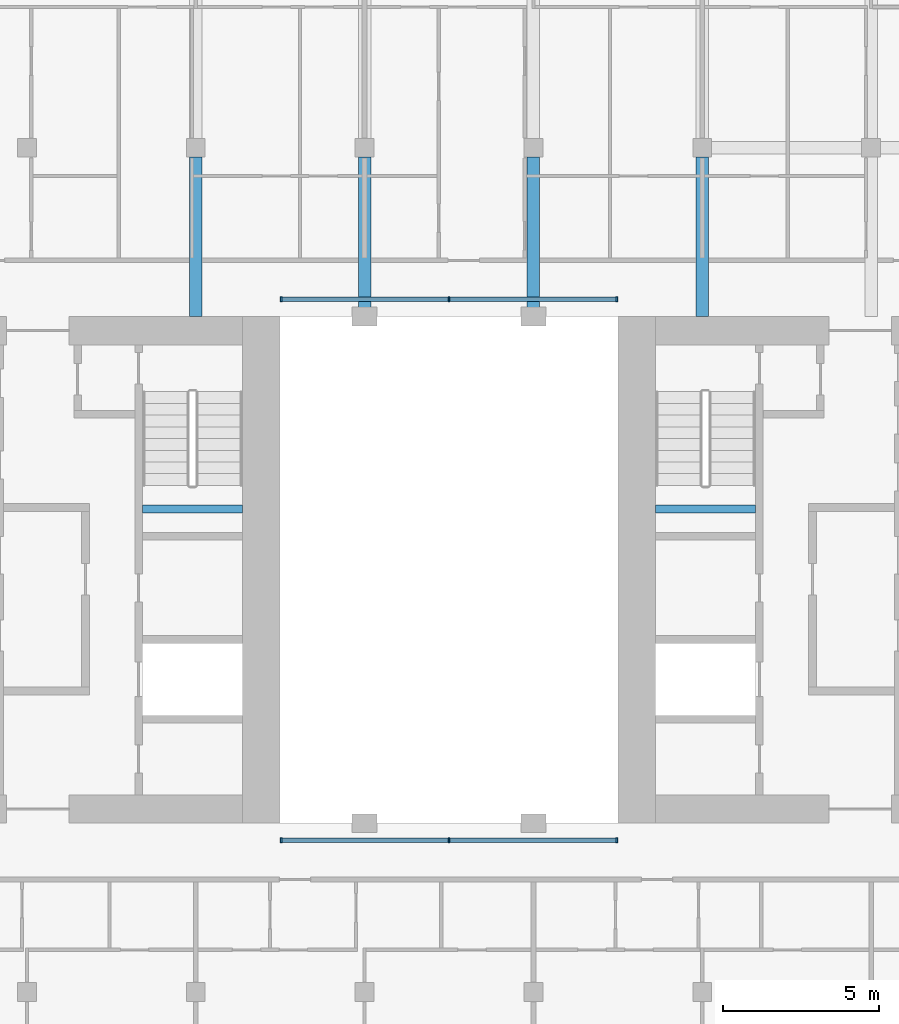
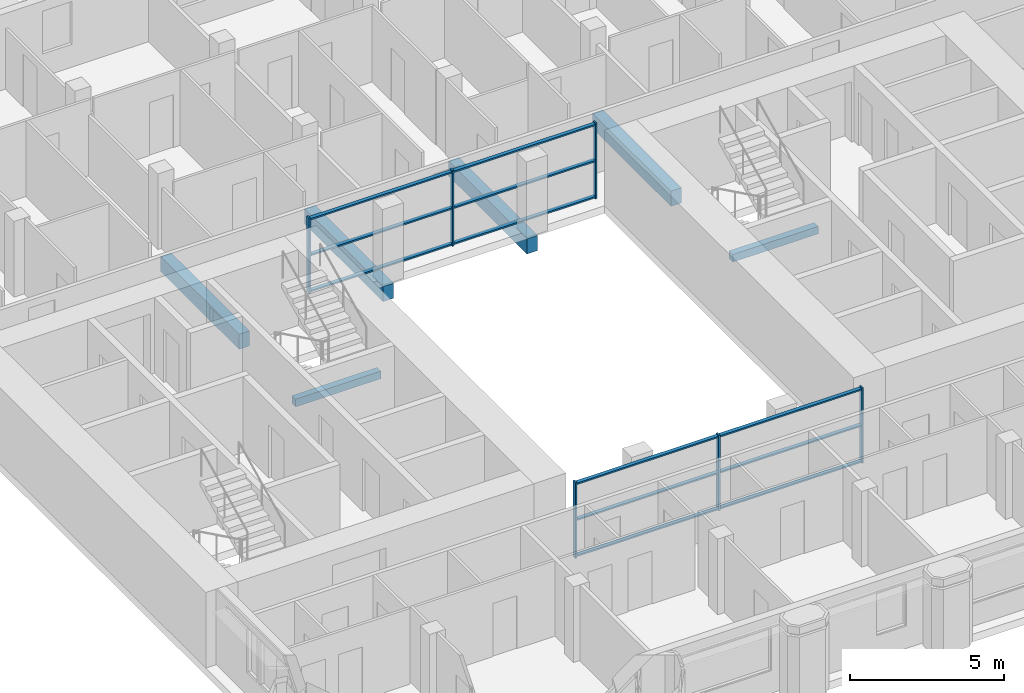
# One storey, part 2 of 13: 18 members, 6 beams, 2 elements without a shape of their own.
"""IFC4 building model written with IfcOpenShell, lengths in metres."""

import ifcopenshell
import ifcopenshell.guid

model = None  # the IFC model being written
_history = None  # IfcOwnerHistory: only IFC2X3 demands one
_inside = {}  # id of a spatial element -> (the spatial element, [elements in it])
_under = {}  # id of a project, library or spatial element -> (it, [spatial elements below it])
_declared = {}  # id of a project -> (the project, [libraries it declares])
_typed = {}  # id of a type object -> (the type object, [elements of that type])
_made_of = {}  # id of a material, layer set ... -> (it, [elements and type objects made of it])


def new_model(schema):
    """Start an empty IFC model of exactly this schema.

    Asked for "IFC4X3", IfcOpenShell would pick the latest addendum, in which some entities
    have other attributes; the version numbers below select the first issue.
    IFC2X3 requires an IfcOwnerHistory on every rooted entity: one is made here for all.
    """
    global model, _history
    if schema == "IFC4X3":
        model = ifcopenshell.file(schema_version=(4, 3, 0, 0))
    else:
        model = ifcopenshell.file(schema=schema)
    _inside.clear()
    _under.clear()
    _declared.clear()
    _typed.clear()
    _made_of.clear()
    _history = None
    if model.schema == "IFC2X3":
        org = make("IfcOrganization", Name="unknown")
        user = make(
            "IfcPersonAndOrganization",
            ThePerson=make("IfcPerson", FamilyName="unknown"),
            TheOrganization=org,
        )
        app = make(
            "IfcApplication",
            ApplicationDeveloper=org,
            Version="unknown",
            ApplicationFullName="unknown",
            ApplicationIdentifier="unknown",
        )
        _history = make(
            "IfcOwnerHistory",
            OwningUser=user,
            OwningApplication=app,
            ChangeAction="ADDED",
            CreationDate=0,
        )
    return model


def make(cls, **values):
    """One entity of the class cls with the attributes given. An attribute that is None is left unset."""
    return model.create_entity(
        cls, **{name: value for name, value in values.items() if value is not None}
    )


def rooted(cls, **values):
    """An entity with a GlobalId (a new one), such as an element, a storey or a relation."""
    return make(cls, GlobalId=ifcopenshell.guid.new(), OwnerHistory=_history, **values)


def si_unit(unit_type, name, prefix=None):
    """IfcSIUnit, for example si_unit("LENGTHUNIT", "METRE", prefix="MILLI")."""
    return make("IfcSIUnit", UnitType=unit_type, Prefix=prefix, Name=name)


def assignment(units):
    """IfcUnitAssignment: the units of a project."""
    return None if units is None else make("IfcUnitAssignment", Units=units)


def point(xyz):
    """IfcCartesianPoint."""
    return None if xyz is None else make("IfcCartesianPoint", Coordinates=xyz)


def direction(xyz):
    """IfcDirection."""
    return None if xyz is None else make("IfcDirection", DirectionRatios=xyz)


def frame(location, z_axis=None, x_axis=None):
    """IfcAxis2Placement3D, a coordinate frame: its origin and axes. An axis left out is left unset."""
    return make(
        "IfcAxis2Placement3D",
        Location=point(location),
        Axis=direction(z_axis),
        RefDirection=direction(x_axis),
    )


def frame_2d(location, x_axis=None):
    """IfcAxis2Placement2D, a coordinate frame in the plane: its origin and x axis."""
    return make(
        "IfcAxis2Placement2D", Location=point(location), RefDirection=direction(x_axis)
    )


def origin():
    """The frame at (0, 0, 0) with its axes left unset."""
    return frame((0.0, 0.0, 0.0))


def origin_2d():
    """The frame at (0, 0) in the plane with its x axis left unset."""
    return frame_2d((0.0, 0.0))


def place(relative_to, where):
    """IfcLocalPlacement: puts the frame where relative to a parent placement (None: the world)."""
    return make(
        "IfcLocalPlacement", PlacementRelTo=relative_to, RelativePlacement=where
    )


def context(
    kind, dimensions, precision=None, world=None, true_north=None, identifier=None
):
    """IfcGeometricRepresentationContext, for example the 3D "Model" context."""
    return make(
        "IfcGeometricRepresentationContext",
        ContextIdentifier=identifier,
        ContextType=kind,
        CoordinateSpaceDimension=dimensions,
        Precision=precision,
        WorldCoordinateSystem=world,
        TrueNorth=true_north,
    )


def subcontext(parent, identifier, kind, view, scale=None):
    """IfcGeometricRepresentationSubContext, for example "Body" below "Model"."""
    return make(
        "IfcGeometricRepresentationSubContext",
        ContextIdentifier=identifier,
        ContextType=kind,
        ParentContext=parent,
        TargetScale=scale,
        TargetView=view,
    )


def project(units=None, contexts=None):
    """IfcProject with its units and contexts."""
    return rooted(
        "IfcProject",
        Name="project",
        RepresentationContexts=contexts,
        UnitsInContext=assignment(units),
    )


def spatial(cls, under=None, at=None, **own):
    """A site, building, storey or space (cls), placed at a placement, below another one or the project."""
    s = rooted(cls, ObjectPlacement=at, **own)
    if under is not None:
        _under.setdefault(under.id(), (under, []))[1].append(s)
    return s


def profile(cls, at=None, kind="AREA", **sizes):
    """A parametric profile (cls). Its sizes go by their IFC names, for example OverallWidth=200.0."""
    return make(cls, ProfileType=kind, Position=at, **sizes)


def rectangle(**sizes):
    """IfcRectangleProfileDef."""
    return profile("IfcRectangleProfileDef", **sizes)


def extrude(swept, where, along, depth):
    """IfcExtrudedAreaSolid: the profile swept, set in the frame where, extruded along a direction by depth."""
    return make(
        "IfcExtrudedAreaSolid",
        SweptArea=swept,
        Position=where,
        ExtrudedDirection=direction(along),
        Depth=depth,
    )


def shape(context_of_items, identifier, shape_type, items):
    """IfcShapeRepresentation: the items that make up one representation, for example the "Body"."""
    return make(
        "IfcShapeRepresentation",
        ContextOfItems=context_of_items,
        RepresentationIdentifier=identifier,
        RepresentationType=shape_type,
        Items=items,
    )


def material(Name=None, Category=None):
    """IfcMaterial."""
    return make("IfcMaterial", Name=Name, Category=Category)


def material_profile(
    of_material, cross_section, Name=None, Category=None, Priority=None
):
    """IfcMaterialProfile: a cross section and its material."""
    return make(
        "IfcMaterialProfile",
        Name=Name,
        Material=of_material,
        Profile=cross_section,
        Priority=Priority,
        Category=Category,
    )


def profile_set(profiles, Name=None, composite=None):
    """IfcMaterialProfileSet."""
    return make(
        "IfcMaterialProfileSet",
        Name=Name,
        MaterialProfiles=profiles,
        CompositeProfile=composite,
    )


def made_of(thing, what):
    """Note that an element or type object is made of a material, layer set ...; save() writes the relation."""
    if what is not None:
        _made_of.setdefault(what.id(), (what, []))[1].append(thing)
    return thing


def type_object(cls, material=None, **own):
    """A type object (cls), such as IfcWallType, which elements share."""
    return made_of(rooted(cls, **own), material)


def element(
    cls,
    number,
    at=None,
    inside=None,
    cuts=None,
    type_object=None,
    material=None,
    context=None,
    identifier="Body",
    shape_type=None,
    held_by="IfcProductDefinitionShape",
    body=None,
    shapes=None,
    **own,
):
    """One element of the class cls, such as IfcWall. Its Tag is "e" and its number.

    at: its placement. inside: the storey or other place that contains it. cuts: it is an
    opening in that element (IfcRelVoidsElement). A single representation is given by context,
    identifier, shape_type and body (its items); several are given by shapes. held_by: the class
    of the entity that holds the representations. save() writes the other relations.
    """
    e = rooted(cls, Tag="e%d" % number, ObjectPlacement=at, **own)
    if body is not None:
        shapes = [shape(context, identifier, shape_type, body)]
    if shapes is not None:
        e.Representation = make(held_by, Representations=shapes)
    if inside is not None:
        _inside.setdefault(inside.id(), (inside, []))[1].append(e)
    if cuts is not None:
        rooted(
            "IfcRelVoidsElement", RelatingBuildingElement=cuts, RelatedOpeningElement=e
        )
    if type_object is not None:
        _typed.setdefault(type_object.id(), (type_object, []))[1].append(e)
    return made_of(e, material)


def aggregate(whole, parts):
    """IfcRelAggregates: a whole, such as a stair, and the parts it consists of."""
    return rooted("IfcRelAggregates", RelatingObject=whole, RelatedObjects=parts)


def save(model, path):
    """Write the relations noted so far, then the file.

    IfcRelAggregates (storeys below a building ...), IfcRelContainedInSpatialStructure (elements
    in a storey), IfcRelDefinesByType, IfcRelAssociatesMaterial and IfcRelDeclares: one each for
    every whole, place, type object, material and project.
    """
    for whole, parts in _under.values():
        aggregate(whole, parts)
    for where, things in _inside.values():
        rooted(
            "IfcRelContainedInSpatialStructure",
            RelatedElements=things,
            RelatingStructure=where,
        )
    for kind, things in _typed.values():
        rooted("IfcRelDefinesByType", RelatedObjects=things, RelatingType=kind)
    for what, things in _made_of.values():
        rooted("IfcRelAssociatesMaterial", RelatedObjects=things, RelatingMaterial=what)
    for by, libraries in _declared.values():
        rooted("IfcRelDeclares", RelatingContext=by, RelatedDefinitions=libraries)
    model.write(path)


model = new_model("IFC4")

# Units and contexts
model_context = context("Model", 3, precision=1e-05, world=origin(), true_north=direction((0.0, 1.0)))
body_context = subcontext(model_context, "Body", "Model", "MODEL_VIEW")
ifc_project = project(units=[si_unit("LENGTHUNIT", "METRE"), si_unit("AREAUNIT", "SQUARE_METRE"), si_unit("VOLUMEUNIT", "CUBIC_METRE"), si_unit("PLANEANGLEUNIT", "RADIAN"), si_unit("MASSUNIT", "GRAM", prefix="KILO")], contexts=[model_context])

# Site, building, storey
site_placement = place(None, origin())
site = spatial("IfcSite", under=ifc_project, at=site_placement, CompositionType="ELEMENT")
building_placement = place(site_placement, origin())
building = spatial("IfcBuilding", under=site, at=building_placement, Name="Tabaq Tower and Sports Hall", CompositionType="ELEMENT")
storey_placement = place(building_placement, frame((0.0, 0.0, 298.300048828125)))
storey = spatial("IfcBuildingStorey", under=building, at=storey_placement, Name="L74", CompositionType="ELEMENT", Elevation=298.300048828125)

# Curtain wall, members
ifc_material_1 = material(Name="Aluminium alloy 6063-T6 framed glazing", Category="aluminium")
curtain_wall_type = type_object("IfcCurtainWallType", Name="CW1 curtain wall", PredefinedType="USERDEFINED", material=ifc_material_1)
curtain_wall_1_placement = place(storey_placement, origin())
curtain_wall_1 = element("IfcCurtainWall", 1, at=curtain_wall_1_placement, inside=storey, type_object=curtain_wall_type, Name="Atrium glazing L74 S", ObjectType="ATRIUM ENCLOSURE", PredefinedType="USERDEFINED")
ifc_material_2 = material(Name="Aluminium alloy 6063-T6", Category="aluminium")
ifc_material_profile_1 = material_profile(ifc_material_2, rectangle(XDim=0.159912109375, YDim=0.06005859375, at=origin_2d()), Name="MULLION 160x60")
ifc_profile_set_1 = profile_set([ifc_material_profile_1], Name="Aluminium alloy 6063-T6")
member_type_1 = type_object("IfcMemberType", Name="CW1 mullion 160x60", PredefinedType="MULLION", material=ifc_profile_set_1)
member_1_placement = place(storey_placement, frame((18.929931640625, 15.64990234375, 0.0), z_axis=(0.0, 0.0, 1.0), x_axis=(0.0, 1.0, 0.0)))
member_1 = element("IfcMember", 2, at=member_1_placement, type_object=member_type_1, Name="CW1 mullion 1", PredefinedType="MULLION", context=body_context, shape_type="SweptSolid", body=[
    extrude(rectangle(XDim=0.159912109375, YDim=0.06005859375, at=origin_2d()), origin(), (0.0, 0.0, 1.0), 3.0),
])
member_2_placement = place(storey_placement, frame((24.300048828125, 15.64990234375, 0.0), z_axis=(0.0, 0.0, 1.0), x_axis=(0.0, 1.0, 0.0)))
member_2 = element("IfcMember", 3, at=member_2_placement, type_object=member_type_1, Name="CW1 mullion 2", PredefinedType="MULLION", context=body_context, shape_type="SweptSolid", body=[
    extrude(rectangle(XDim=0.159912109375, YDim=0.06005859375, at=origin_2d()), origin(), (0.0, 0.0, 1.0), 3.0),
])
member_3_placement = place(storey_placement, frame((29.669921875, 15.64990234375, 0.0), z_axis=(0.0, 0.0, 1.0), x_axis=(0.0, 1.0, 0.0)))
member_3 = element("IfcMember", 4, at=member_3_placement, type_object=member_type_1, Name="CW1 mullion 3", PredefinedType="MULLION", context=body_context, shape_type="SweptSolid", body=[
    extrude(rectangle(XDim=0.159912109375, YDim=0.06005859375, at=origin_2d()), origin(), (0.0, 0.0, 1.0), 3.0),
])

curtain_wall_2_placement = place(storey_placement, origin())
curtain_wall_2 = element("IfcCurtainWall", 5, at=curtain_wall_2_placement, inside=storey, type_object=curtain_wall_type, Name="Atrium glazing L74 N", ObjectType="ATRIUM ENCLOSURE", PredefinedType="USERDEFINED")
member_4_placement = place(storey_placement, frame((18.929931640625, 32.949951171875, 0.0), z_axis=(0.0, 0.0, 1.0), x_axis=(0.0, 1.0, 0.0)))
member_4 = element("IfcMember", 6, at=member_4_placement, type_object=member_type_1, Name="CW1 mullion 1", PredefinedType="MULLION", context=body_context, shape_type="SweptSolid", body=[
    extrude(rectangle(XDim=0.159912109375, YDim=0.06005859375, at=origin_2d()), origin(), (0.0, 0.0, 1.0), 3.0),
])
member_5_placement = place(storey_placement, frame((24.300048828125, 32.949951171875, 0.0), z_axis=(0.0, 0.0, 1.0), x_axis=(0.0, 1.0, 0.0)))
member_5 = element("IfcMember", 7, at=member_5_placement, type_object=member_type_1, Name="CW1 mullion 2", PredefinedType="MULLION", context=body_context, shape_type="SweptSolid", body=[
    extrude(rectangle(XDim=0.159912109375, YDim=0.06005859375, at=origin_2d()), origin(), (0.0, 0.0, 1.0), 3.0),
])
member_6_placement = place(storey_placement, frame((29.669921875, 32.949951171875, 0.0), z_axis=(0.0, 0.0, 1.0), x_axis=(0.0, 1.0, 0.0)))
member_6 = element("IfcMember", 8, at=member_6_placement, type_object=member_type_1, Name="CW1 mullion 3", PredefinedType="MULLION", context=body_context, shape_type="SweptSolid", body=[
    extrude(rectangle(XDim=0.159912109375, YDim=0.06005859375, at=origin_2d()), origin(), (0.0, 0.0, 1.0), 3.0),
])

# Member
ifc_material_3 = material(Name="Aluminium alloy 6063-T6", Category="aluminium")
ifc_material_profile_2 = material_profile(ifc_material_3, rectangle(XDim=0.139892578125, YDim=0.06005859375, at=origin_2d()), Name="TRANSOM 140x60")
ifc_profile_set_2 = profile_set([ifc_material_profile_2], Name="Aluminium alloy 6063-T6")
member_type_2 = type_object("IfcMemberType", Name="CW1 transom 140x60", PredefinedType="USERDEFINED", material=ifc_profile_set_2)
member_7_placement = place(storey_placement, frame((18.9599609375, 15.64990234375, 0.070068359375), z_axis=(1.0, 0.0, 0.0), x_axis=(0.0, 1.0, 0.0)))
member_7 = element("IfcMember", 9, at=member_7_placement, type_object=member_type_2, Name="CW1 transom 1.1", ObjectType="TRANSOM", PredefinedType="USERDEFINED", context=body_context, shape_type="SweptSolid", body=[
    extrude(rectangle(XDim=0.139892578125, YDim=0.06005859375, at=origin_2d()), origin(), (0.0, 0.0, 1.0), 5.31005859375),
])

member_8_placement = place(storey_placement, frame((18.9599609375, 15.64990234375, 1.5), z_axis=(1.0, 0.0, 0.0), x_axis=(0.0, 1.0, 0.0)))
member_8 = element("IfcMember", 10, at=member_8_placement, type_object=member_type_2, Name="CW1 transom 1.2", ObjectType="TRANSOM", PredefinedType="USERDEFINED", context=body_context, shape_type="SweptSolid", body=[
    extrude(rectangle(XDim=0.139892578125, YDim=0.06005859375, at=origin_2d()), origin(), (0.0, 0.0, 1.0), 5.31005859375),
])

member_9_placement = place(storey_placement, frame((18.9599609375, 15.64990234375, 2.929931640625), z_axis=(1.0, 0.0, 0.0), x_axis=(0.0, 1.0, 0.0)))
member_9 = element("IfcMember", 11, at=member_9_placement, type_object=member_type_2, Name="CW1 transom 1.3", ObjectType="TRANSOM", PredefinedType="USERDEFINED", context=body_context, shape_type="SweptSolid", body=[
    extrude(rectangle(XDim=0.139892578125, YDim=0.06005859375, at=origin_2d()), origin(), (0.0, 0.0, 1.0), 5.31005859375),
])

member_10_placement = place(storey_placement, frame((24.330078125, 15.64990234375, 0.070068359375), z_axis=(1.0, 0.0, 0.0), x_axis=(0.0, 1.0, 0.0)))
member_10 = element("IfcMember", 12, at=member_10_placement, type_object=member_type_2, Name="CW1 transom 2.1", ObjectType="TRANSOM", PredefinedType="USERDEFINED", context=body_context, shape_type="SweptSolid", body=[
    extrude(rectangle(XDim=0.139892578125, YDim=0.06005859375, at=origin_2d()), origin(), (0.0, 0.0, 1.0), 5.309814453125),
])

member_11_placement = place(storey_placement, frame((24.330078125, 15.64990234375, 1.5), z_axis=(1.0, 0.0, 0.0), x_axis=(0.0, 1.0, 0.0)))
member_11 = element("IfcMember", 13, at=member_11_placement, type_object=member_type_2, Name="CW1 transom 2.2", ObjectType="TRANSOM", PredefinedType="USERDEFINED", context=body_context, shape_type="SweptSolid", body=[
    extrude(rectangle(XDim=0.139892578125, YDim=0.06005859375, at=origin_2d()), origin(), (0.0, 0.0, 1.0), 5.309814453125),
])

member_12_placement = place(storey_placement, frame((24.330078125, 15.64990234375, 2.929931640625), z_axis=(1.0, 0.0, 0.0), x_axis=(0.0, 1.0, 0.0)))
member_12 = element("IfcMember", 14, at=member_12_placement, type_object=member_type_2, Name="CW1 transom 2.3", ObjectType="TRANSOM", PredefinedType="USERDEFINED", context=body_context, shape_type="SweptSolid", body=[
    extrude(rectangle(XDim=0.139892578125, YDim=0.06005859375, at=origin_2d()), origin(), (0.0, 0.0, 1.0), 5.309814453125),
])

aggregate(curtain_wall_1, [member_1, member_2, member_3, member_7, member_8, member_9, member_10, member_11, member_12])

member_13_placement = place(storey_placement, frame((18.9599609375, 32.949951171875, 0.070068359375), z_axis=(1.0, 0.0, 0.0), x_axis=(0.0, 1.0, 0.0)))
member_13 = element("IfcMember", 15, at=member_13_placement, type_object=member_type_2, Name="CW1 transom 1.1", ObjectType="TRANSOM", PredefinedType="USERDEFINED", context=body_context, shape_type="SweptSolid", body=[
    extrude(rectangle(XDim=0.139892578125, YDim=0.06005859375, at=origin_2d()), origin(), (0.0, 0.0, 1.0), 5.31005859375),
])

member_14_placement = place(storey_placement, frame((18.9599609375, 32.949951171875, 1.5), z_axis=(1.0, 0.0, 0.0), x_axis=(0.0, 1.0, 0.0)))
member_14 = element("IfcMember", 16, at=member_14_placement, type_object=member_type_2, Name="CW1 transom 1.2", ObjectType="TRANSOM", PredefinedType="USERDEFINED", context=body_context, shape_type="SweptSolid", body=[
    extrude(rectangle(XDim=0.139892578125, YDim=0.06005859375, at=origin_2d()), origin(), (0.0, 0.0, 1.0), 5.31005859375),
])

member_15_placement = place(storey_placement, frame((18.9599609375, 32.949951171875, 2.929931640625), z_axis=(1.0, 0.0, 0.0), x_axis=(0.0, 1.0, 0.0)))
member_15 = element("IfcMember", 17, at=member_15_placement, type_object=member_type_2, Name="CW1 transom 1.3", ObjectType="TRANSOM", PredefinedType="USERDEFINED", context=body_context, shape_type="SweptSolid", body=[
    extrude(rectangle(XDim=0.139892578125, YDim=0.06005859375, at=origin_2d()), origin(), (0.0, 0.0, 1.0), 5.31005859375),
])

member_16_placement = place(storey_placement, frame((24.330078125, 32.949951171875, 0.070068359375), z_axis=(1.0, 0.0, 0.0), x_axis=(0.0, 1.0, 0.0)))
member_16 = element("IfcMember", 18, at=member_16_placement, type_object=member_type_2, Name="CW1 transom 2.1", ObjectType="TRANSOM", PredefinedType="USERDEFINED", context=body_context, shape_type="SweptSolid", body=[
    extrude(rectangle(XDim=0.139892578125, YDim=0.06005859375, at=origin_2d()), origin(), (0.0, 0.0, 1.0), 5.309814453125),
])

member_17_placement = place(storey_placement, frame((24.330078125, 32.949951171875, 1.5), z_axis=(1.0, 0.0, 0.0), x_axis=(0.0, 1.0, 0.0)))
member_17 = element("IfcMember", 19, at=member_17_placement, type_object=member_type_2, Name="CW1 transom 2.2", ObjectType="TRANSOM", PredefinedType="USERDEFINED", context=body_context, shape_type="SweptSolid", body=[
    extrude(rectangle(XDim=0.139892578125, YDim=0.06005859375, at=origin_2d()), origin(), (0.0, 0.0, 1.0), 5.309814453125),
])

member_18_placement = place(storey_placement, frame((24.330078125, 32.949951171875, 2.929931640625), z_axis=(1.0, 0.0, 0.0), x_axis=(0.0, 1.0, 0.0)))
member_18 = element("IfcMember", 20, at=member_18_placement, type_object=member_type_2, Name="CW1 transom 2.3", ObjectType="TRANSOM", PredefinedType="USERDEFINED", context=body_context, shape_type="SweptSolid", body=[
    extrude(rectangle(XDim=0.139892578125, YDim=0.06005859375, at=origin_2d()), origin(), (0.0, 0.0, 1.0), 5.309814453125),
])

aggregate(curtain_wall_2, [member_4, member_5, member_6, member_13, member_14, member_15, member_16, member_17, member_18])

# Beams
ifc_material_4 = material(Name="Concrete C40/50", Category="concrete")
ifc_material_profile_3 = material_profile(ifc_material_4, rectangle(XDim=0.39990234375, YDim=0.60009765625, at=origin_2d()), Name="CB 400x600")
ifc_profile_set_3 = profile_set([ifc_material_profile_3], Name="Concrete C40/50")
beam_type_1 = type_object("IfcBeamType", Name="PT CANTILEVER BEAM CB 400x600 C40/50", PredefinedType="BEAM", material=ifc_profile_set_3)
for number, where, z_axis, x_axis, name in (
    (21, (16.199951171875, 37.5, -0.60009765625), (0.0, -1.0, 0.0), (1.0, 0.0, 0.0), "Cantilever Beam L74 N3 span 3"),
    (22, (21.60009765625, 37.5, -0.60009765625), (0.0, -1.0, 0.0), (1.0, 0.0, 0.0), "Cantilever Beam L74 N4 span 3"),
    (23, (27.0, 37.5, -0.60009765625), (0.0, -1.0, 0.0), (1.0, 0.0, 0.0), "Cantilever Beam L74 N5 span 3"),
    (24, (32.39990234375, 37.5, -0.60009765625), (0.0, -1.0, 0.0), (1.0, 0.0, 0.0), "Cantilever Beam L74 N6 span 3"),
):
    element("IfcBeam", number, at=place(storey_placement, frame(where, z_axis=z_axis, x_axis=x_axis)), inside=storey, type_object=beam_type_1, Name=name, PredefinedType="BEAM", context=body_context, shape_type="SweptSolid", body=[
        extrude(rectangle(XDim=0.39990234375, YDim=0.60009765625, at=origin_2d()), origin(), (0.0, 0.0, 1.0), 5.10009765625),
    ])
ifc_material_5 = material(Name="Concrete C40/50", Category="concrete")
ifc_material_profile_4 = material_profile(ifc_material_5, rectangle(XDim=0.25, YDim=0.300048828125, at=origin_2d()), Name="RC 250x300")
ifc_profile_set_4 = profile_set([ifc_material_profile_4], Name="Concrete C40/50")
beam_type_2 = type_object("IfcBeamType", Name="Stair landing beam 250x300", PredefinedType="BEAM", material=ifc_profile_set_4)
beam_1_placement = place(storey_placement, frame((14.5, 26.25, 1.300048828125), z_axis=(1.0, 0.0, 0.0), x_axis=(0.0, 1.0, 0.0)))
element("IfcBeam", 25, at=beam_1_placement, inside=storey, type_object=beam_type_2, Name="L74 ST2 landing beam 1", PredefinedType="BEAM", context=body_context, shape_type="SweptSolid", body=[
    extrude(rectangle(XDim=0.25, YDim=0.300048828125, at=origin_2d()), origin(), (0.0, 0.0, 1.0), 3.199951171875),
])
beam_2_placement = place(storey_placement, frame((30.89990234375, 26.25, 1.300048828125), z_axis=(1.0, 0.0, 0.0), x_axis=(0.0, 1.0, 0.0)))
element("IfcBeam", 26, at=beam_2_placement, inside=storey, type_object=beam_type_2, Name="L74 ST4 landing beam 1", PredefinedType="BEAM", context=body_context, shape_type="SweptSolid", body=[
    extrude(rectangle(XDim=0.25, YDim=0.300048828125, at=origin_2d()), origin(), (0.0, 0.0, 1.0), 3.2001953125),
])

save(model, "model.ifc")
